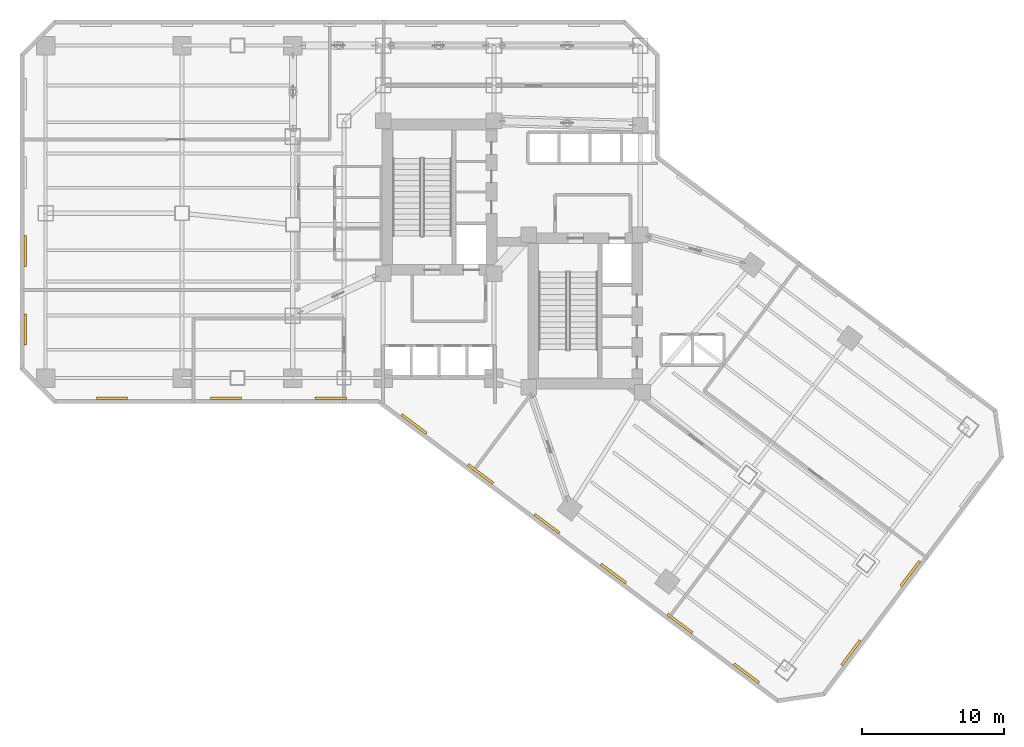
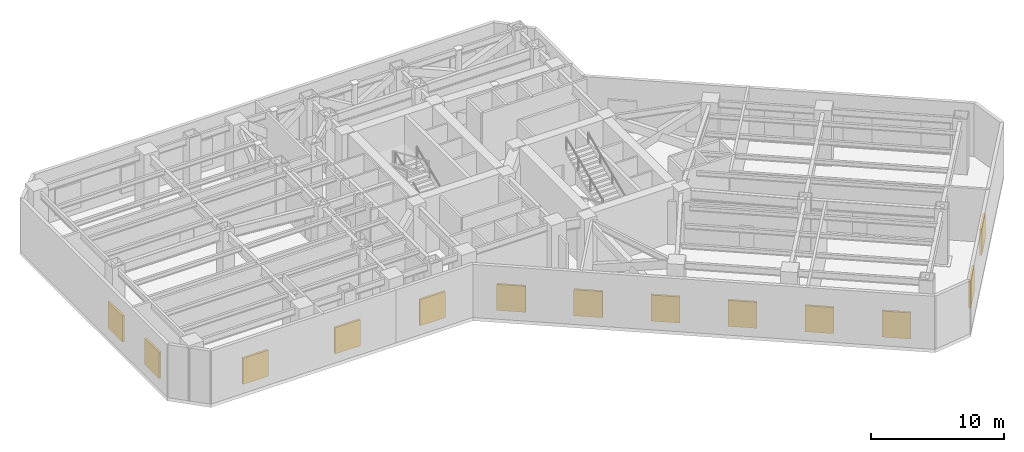
# One storey, part 13 of 16: 13 shading devices.
"""IFC4 building model written with IfcOpenShell, lengths in metres."""

from ifc_helpers import new_model, si_unit, direction, frame, origin, origin_2d, place, context, subcontext, project, spatial, rectangle, extrude, material, layer, layer_set, type_object, element, save


model = new_model("IFC4")

# Units and contexts
model_context = context("Model", 3, precision=1e-05, world=origin(), true_north=direction((0.0, 1.0)))
body_context = subcontext(model_context, "Body", "Model", "MODEL_VIEW")
ifc_project = project(units=[si_unit("LENGTHUNIT", "METRE"), si_unit("AREAUNIT", "SQUARE_METRE"), si_unit("VOLUMEUNIT", "CUBIC_METRE"), si_unit("PLANEANGLEUNIT", "RADIAN"), si_unit("MASSUNIT", "GRAM", prefix="KILO")], contexts=[model_context])

# Site, building, storey
site_placement = place(None, origin())
site = spatial("IfcSite", under=ifc_project, at=site_placement, CompositionType="ELEMENT")
building_placement = place(site_placement, origin())
building = spatial("IfcBuilding", under=site, at=building_placement, Name="Hatsunagi Terrace Concourse", CompositionType="ELEMENT")
storey_placement = place(building_placement, frame((0.0, 0.0, 27.0)))
storey = spatial("IfcBuildingStorey", under=building, at=storey_placement, Name="L06", CompositionType="ELEMENT", Elevation=27.0)

# Shading devices
ifc_material = material(Name="Powder-Coated Aluminium Acoustic Louvre", Category="aluminium")
ifc_layer = layer(ifc_material, 0.179931640625)
ifc_layer_set = layer_set([ifc_layer], Name="PlantAcousticLouvre_180")
shading_device_type = type_object("IfcShadingDeviceType", Name="PlantAcousticLouvre_180", PredefinedType="JALOUSIE", material=ifc_layer_set)
for number, where, z_axis, x_axis, name in (
    (1, (62.64404296875, 11.44189453125, 0.60009765625), (0.0, 0.0, 1.0), (-0.599969314634, -0.800023013105, 0.0), "Plant Acoustic Louvre L06-03-2"),
    (2, (58.467041015625, 5.873046875, 0.60009765625), (0.0, 0.0, 1.0), (-0.599969314634, -0.800023013105, 0.0), "Plant Acoustic Louvre L06-03-3"),
    (3, (51.116943359375, 4.425048828125, 0.60009765625), (0.0, 0.0, 1.0), (-0.800003116929, 0.599995844072, 0.0), "Plant Acoustic Louvre L06-05-1"),
    (4, (46.43798828125, 7.93408203125, 0.60009765625), (0.0, 0.0, 1.0), (-0.800003116929, 0.599995844072, 0.0), "Plant Acoustic Louvre L06-05-2"),
    (5, (41.760009765625, 11.443115234375, 0.60009765625), (0.0, 0.0, 1.0), (-0.800003116929, 0.599995844072, 0.0), "Plant Acoustic Louvre L06-05-3"),
    (6, (37.0810546875, 14.951904296875, 0.60009765625), (0.0, 0.0, 1.0), (-0.800003116929, 0.599995844072, 0.0), "Plant Acoustic Louvre L06-05-4"),
    (7, (32.403076171875, 18.4609375, 0.60009765625), (0.0, 0.0, 1.0), (-0.800003116929, 0.599995844072, 0.0), "Plant Acoustic Louvre L06-05-5"),
    (8, (27.72412109375, 21.969970703125, 0.60009765625), (0.0, 0.0, 1.0), (-0.800003116929, 0.599995844072, 0.0), "Plant Acoustic Louvre L06-05-6"),
    (9, (21.873046875, 23.77001953125, 0.60009765625), (0.0, 0.0, 1.0), (-1.0, 0.0, 0.0), "Plant Acoustic Louvre L06-06-1"),
    (10, (14.489013671875, 23.77001953125, 0.60009765625), (0.0, 0.0, 1.0), (-1.0, 0.0, 0.0), "Plant Acoustic Louvre L06-07-1"),
    (11, (6.468017578125, 23.77001953125, 0.60009765625), (0.0, 0.0, 1.0), (-1.0, 0.0, 0.0), "Plant Acoustic Louvre L06-07-2"),
    (12, (0.3701171875, 28.618896484375, 0.60009765625), (0.0, 0.0, 1.0), (0.0, 1.0, 0.0), "Plant Acoustic Louvre L06-09-1"),
    (13, (0.3701171875, 34.138916015625, 0.60009765625), (0.0, 0.0, 1.0), (0.0, 1.0, 0.0), "Plant Acoustic Louvre L06-09-2"),
):
    element("IfcShadingDevice", number, at=place(storey_placement, frame(where, z_axis=z_axis, x_axis=x_axis)), inside=storey, type_object=shading_device_type, Name=name, PredefinedType="JALOUSIE", context=body_context, shape_type="SweptSolid", body=[
        extrude(rectangle(XDim=2.199951171875, YDim=0.179931640625, at=origin_2d()), origin(), (0.0, 0.0, 1.0), 2.39990234375),
    ])

save(model, "model.ifc")
